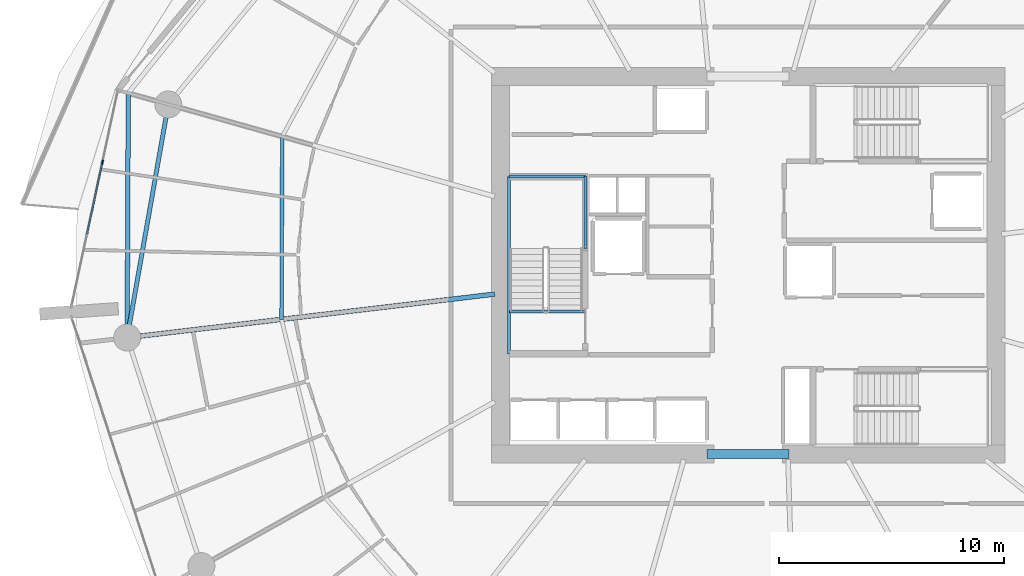
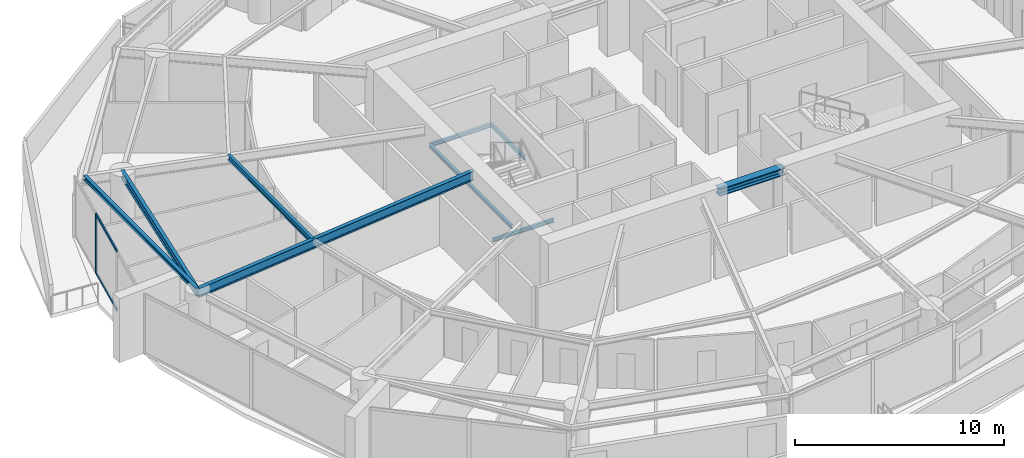
# One storey, part 6 of 23: 9 beams, 3 members, 1 element without a shape of its own.
"""IFC4 building model written with IfcOpenShell, lengths in metres."""

from ifc_helpers import new_model, si_unit, direction, frame, origin, origin_2d, place, context, subcontext, project, spatial, rectangle, i_section, extrude, material, layer, layer_set, material_profile, profile_set, type_object, element, aggregate, save


model = new_model("IFC4")

# Units and contexts
model_context = context("Model", 3, precision=1e-05, world=origin(), true_north=direction((0.0, 1.0)))
body_context = subcontext(model_context, "Body", "Model", "MODEL_VIEW")
ifc_project = project(units=[si_unit("LENGTHUNIT", "METRE"), si_unit("AREAUNIT", "SQUARE_METRE"), si_unit("VOLUMEUNIT", "CUBIC_METRE"), si_unit("PLANEANGLEUNIT", "RADIAN"), si_unit("MASSUNIT", "GRAM", prefix="KILO")], contexts=[model_context])

# Site, building, storey
site_placement = place(None, origin())
site = spatial("IfcSite", under=ifc_project, at=site_placement, CompositionType="ELEMENT")
building_placement = place(site_placement, origin())
building = spatial("IfcBuilding", under=site, at=building_placement, Name="Kazma Halo Residences", CompositionType="ELEMENT")
storey_placement = place(building_placement, frame((0.0, 0.0, 105.14990234375)))
storey = spatial("IfcBuildingStorey", under=building, at=storey_placement, Name="L26", CompositionType="ELEMENT", Elevation=105.14990234375)

# Beams
ifc_material_1 = material(Name="Steel S355", Category="steel")
ifc_material_profile_1 = material_profile(ifc_material_1, i_section(OverallWidth=0.201904296875, OverallDepth=0.2470703125, WebThickness=0.00732421875, FlangeThickness=0.010986328125, FilletRadius=0.011962890625, at=origin_2d()), Name="W250x49.1")
ifc_profile_set_1 = profile_set([ifc_material_profile_1], Name="Steel S355")
beam_type_1 = type_object("IfcBeamType", Name="BM-BAL-CANT", PredefinedType="BEAM", material=ifc_profile_set_1)
beam_1_placement = place(storey_placement, frame((20.8427734375, 49.6591796875, 3.376708984375), z_axis=(-0.004532963616, -0.999989726068, 0.0), x_axis=(0.999989726068, -0.004532963616, 0.0)))
element("IfcBeam", 1, at=beam_1_placement, inside=storey, type_object=beam_type_1, Name="L26 wave-balcony tie beam 07", PredefinedType="BEAM", context=body_context, shape_type="SweptSolid", body=[
    extrude(i_section(OverallWidth=0.201904296875, OverallDepth=0.2470703125, WebThickness=0.00732421875, FlangeThickness=0.010986328125, FilletRadius=0.011962890625, at=origin_2d()), origin(), (0.0, 0.0, 1.0), 10.87939453125),
])
ifc_material_profile_2 = material_profile(ifc_material_1, i_section(OverallWidth=0.408935546875, OverallDepth=0.425048828125, WebThickness=0.03271484375, FlangeThickness=0.052490234375, FilletRadius=0.02001953125, at=origin_2d()), Name="W360x421")
ifc_profile_set_2 = profile_set([ifc_material_profile_2], Name="Steel S355")
beam_type_2 = type_object("IfcBeamType", Name="BM-CORE-W360H", PredefinedType="BEAM", material=ifc_profile_set_2)
beam_2_placement = place(storey_placement, frame((46.60009765625, 33.60009765625, 3.28759765625), z_axis=(1.0, 0.0, 0.0), x_axis=(0.0, 1.0, 0.0)))
element("IfcBeam", 2, at=beam_2_placement, inside=storey, type_object=beam_type_2, Name="L26 core coupling beam S", PredefinedType="BEAM", context=body_context, shape_type="SweptSolid", body=[
    extrude(i_section(OverallWidth=0.408935546875, OverallDepth=0.425048828125, WebThickness=0.03271484375, FlangeThickness=0.052490234375, FilletRadius=0.02001953125, at=origin_2d()), origin(), (0.0, 0.0, 1.0), 3.64990234375),
])
ifc_material_profile_3 = material_profile(ifc_material_1, i_section(OverallWidth=0.208984375, OverallDepth=0.532958984375, WebThickness=0.01025390625, FlangeThickness=0.015625, FilletRadius=0.01611328125, at=origin_2d()), Name="W530x92")
ifc_profile_set_3 = profile_set([ifc_material_profile_3], Name="Steel S355")
beam_type_3 = type_object("IfcBeamType", Name="BM-RAD-W530", PredefinedType="BEAM", material=ifc_profile_set_3)
beam_3_placement = place(storey_placement, frame((37.14990234375, 40.7158203125, 3.233642578125), z_axis=(-0.99306759037, -0.117544718963, 0.0), x_axis=(0.117544718963, -0.99306759037, 0.0)))
element("IfcBeam", 3, at=beam_3_placement, inside=storey, type_object=beam_type_3, Name="L26 radial floor beam 08", PredefinedType="BEAM", context=body_context, shape_type="SweptSolid", body=[
    extrude(i_section(OverallWidth=0.208984375, OverallDepth=0.532958984375, WebThickness=0.01025390625, FlangeThickness=0.015625, FilletRadius=0.01611328125, at=origin_2d()), origin(), (0.0, 0.0, 1.0), 16.470703125),
])
ifc_material_profile_4 = material_profile(ifc_material_1, i_section(OverallWidth=0.1650390625, OverallDepth=0.31005859375, WebThickness=0.005859375, FlangeThickness=0.009765625, FilletRadius=0.011962890625, at=origin_2d()), Name="W310x38.7")
ifc_profile_set_4 = profile_set([ifc_material_profile_4], Name="Steel S355")
beam_type_4 = type_object("IfcBeamType", Name="BM-SEC-W310B", PredefinedType="JOIST", material=ifc_profile_set_4)
beam_4_placement = place(storey_placement, frame((27.69189453125, 47.7275390625, 3.34521484375), z_axis=(-0.003541500645, -0.999993728867, 0.0), x_axis=(0.999993728867, -0.003541500645, 0.0)))
element("IfcBeam", 4, at=beam_4_placement, inside=storey, type_object=beam_type_4, Name="L26 circumferential floor joist 07", PredefinedType="JOIST", context=body_context, shape_type="SweptSolid", body=[
    extrude(i_section(OverallWidth=0.1650390625, OverallDepth=0.31005859375, WebThickness=0.005859375, FlangeThickness=0.009765625, FilletRadius=0.011962890625, at=origin_2d()), origin(), (0.0, 0.0, 1.0), 8.134521484375),
])
ifc_material_profile_5 = material_profile(ifc_material_1, i_section(OverallWidth=0.18994140625, OverallDepth=0.45703125, WebThickness=0.009033203125, FlangeThickness=0.014404296875, FilletRadius=0.01611328125, at=origin_2d()), Name="W460x74")
ifc_profile_set_5 = profile_set([ifc_material_profile_5], Name="Steel S355")
beam_type_5 = type_object("IfcBeamType", Name="BM-SPN-W460", PredefinedType="BEAM", material=ifc_profile_set_5)
beam_5_placement = place(storey_placement, frame((22.623291015625, 49.156982421875, 3.271484375), z_axis=(-0.173653159051, -0.984806874647, 0.0), x_axis=(0.984806874647, -0.173653159051, 0.0)))
element("IfcBeam", 5, at=beam_5_placement, inside=storey, type_object=beam_type_5, Name="L26 perimeter ring beam 07", PredefinedType="BEAM", context=body_context, shape_type="SweptSolid", body=[
    extrude(i_section(OverallWidth=0.18994140625, OverallDepth=0.45703125, WebThickness=0.009033203125, FlangeThickness=0.014404296875, FilletRadius=0.01611328125, at=origin_2d()), origin(), (0.0, 0.0, 1.0), 10.537353515625),
])
ifc_material_profile_6 = material_profile(ifc_material_1, i_section(OverallWidth=0.133056640625, OverallDepth=0.20703125, WebThickness=0.005859375, FlangeThickness=0.00830078125, FilletRadius=0.010009765625, at=origin_2d()), Name="W200x26.6")
ifc_profile_set_6 = profile_set([ifc_material_profile_6], Name="Steel S355")
beam_type_6 = type_object("IfcBeamType", Name="BM-TRIM-W200", PredefinedType="BEAM", material=ifc_profile_set_6)
beam_6_placement = place(storey_placement, frame((37.800048828125, 39.949951171875, -0.35986328125), z_axis=(1.0, 0.0, 0.0), x_axis=(0.0, 1.0, 0.0)))
element("IfcBeam", 6, at=beam_6_placement, inside=storey, type_object=beam_type_6, Name="L26 ST-01 floor landing support beam", PredefinedType="BEAM", context=body_context, shape_type="SweptSolid", body=[
    extrude(i_section(OverallWidth=0.133056640625, OverallDepth=0.20703125, WebThickness=0.005859375, FlangeThickness=0.00830078125, FilletRadius=0.010009765625, at=origin_2d()), origin(), (0.0, 0.0, 1.0), 3.3798828125),
])
beam_7_placement = place(storey_placement, frame((37.780029296875, 38.06005859375, 1.570068359375), z_axis=(0.0, 1.0, 0.0), x_axis=(-1.0, 0.0, 0.0)))
element("IfcBeam", 7, at=beam_7_placement, inside=storey, type_object=beam_type_6, Name="L26 ST-01 landing west wall ledger", PredefinedType="BEAM", context=body_context, shape_type="SweptSolid", body=[
    extrude(i_section(OverallWidth=0.133056640625, OverallDepth=0.20703125, WebThickness=0.005859375, FlangeThickness=0.00830078125, FilletRadius=0.010009765625, at=origin_2d()), origin(), (0.0, 0.0, 1.0), 7.8798828125),
])
beam_8_placement = place(storey_placement, frame((41.179931640625, 42.75, 1.570068359375), z_axis=(0.0, 1.0, 0.0), x_axis=(-1.0, 0.0, 0.0)))
element("IfcBeam", 8, at=beam_8_placement, inside=storey, type_object=beam_type_6, Name="L26 ST-01 landing east wall ledger", PredefinedType="BEAM", context=body_context, shape_type="SweptSolid", body=[
    extrude(i_section(OverallWidth=0.133056640625, OverallDepth=0.20703125, WebThickness=0.005859375, FlangeThickness=0.00830078125, FilletRadius=0.010009765625, at=origin_2d()), origin(), (0.0, 0.0, 1.0), 3.18994140625),
])
beam_9_placement = place(storey_placement, frame((37.780029296875, 45.93994140625, 1.570068359375), z_axis=(1.0, 0.0, 0.0), x_axis=(0.0, 1.0, 0.0)))
element("IfcBeam", 9, at=beam_9_placement, inside=storey, type_object=beam_type_6, Name="L26 ST-01 landing end wall ledger", PredefinedType="BEAM", context=body_context, shape_type="SweptSolid", body=[
    extrude(i_section(OverallWidth=0.133056640625, OverallDepth=0.20703125, WebThickness=0.005859375, FlangeThickness=0.00830078125, FilletRadius=0.010009765625, at=origin_2d()), origin(), (0.0, 0.0, 1.0), 3.39990234375),
])

# Curtain wall, members
ifc_material_2 = material(Name="Aluminium AW-6063 T6 and Triple-Silver Low-E Glass", Category="aluminium")
ifc_layer = layer(ifc_material_2, 0.199951171875)
ifc_layer_set = layer_set([ifc_layer], Name="Aluminium AW-6063 T6 and Triple-Silver Low-E Glass")
curtain_wall_type = type_object("IfcCurtainWallType", Name="CW-SYS-3", PredefinedType="NOTDEFINED", material=ifc_layer_set)
curtain_wall_placement = place(storey_placement, origin())
curtain_wall = element("IfcCurtainWall", 10, at=curtain_wall_placement, inside=storey, type_object=curtain_wall_type, Name="L26 unitised curtain wall B07", PredefinedType="NOTDEFINED")
ifc_material_3 = material(Name="Aluminium AW-6063 T6", Category="aluminium")
ifc_material_profile_7 = material_profile(ifc_material_3, rectangle(XDim=0.070068359375, YDim=0.199951171875, at=origin_2d()), Name="CWM-70x200")
ifc_profile_set_7 = profile_set([ifc_material_profile_7], Name="Aluminium AW-6063 T6")
member_type_1 = type_object("IfcMemberType", Name="CW-SYS-3-MUL", PredefinedType="MULLION", material=ifc_profile_set_7)
member_1_placement = place(storey_placement, frame((19.69287109375, 46.5791015625, 0.0), z_axis=(0.0, 0.0, 1.0), x_axis=(0.977774176093, -0.209660822677, 0.0)))
member_1 = element("IfcMember", 11, at=member_1_placement, type_object=member_type_1, Name="CWS-3 mullion 2", PredefinedType="MULLION", context=body_context, shape_type="SweptSolid", body=[
    extrude(rectangle(XDim=0.070068359375, YDim=0.199951171875, at=origin_2d()), origin(), (0.0, 0.0, 1.0), 3.5),
])
ifc_material_profile_8 = material_profile(ifc_material_3, rectangle(XDim=0.070068359375, YDim=0.14990234375, at=origin_2d()), Name="CWT-70x150")
ifc_profile_set_8 = profile_set([ifc_material_profile_8], Name="Aluminium AW-6063 T6")
member_type_2 = type_object("IfcMemberType", Name="CW-SYS-3-TRN", PredefinedType="USERDEFINED", material=ifc_profile_set_8)
member_2_placement = place(storey_placement, frame((19.685546875, 46.544921875, 0.03515625), z_axis=(-0.209627675811, -0.977781283076, 0.0), x_axis=(0.977781283076, -0.209627675811, 0.0)))
member_2 = element("IfcMember", 12, at=member_2_placement, type_object=member_type_2, Name="CWS-3 transom 2.1", ObjectType="TRANSOM", PredefinedType="USERDEFINED", context=body_context, shape_type="SweptSolid", body=[
    extrude(rectangle(XDim=0.070068359375, YDim=0.14990234375, at=origin_2d()), origin(), (0.0, 0.0, 1.0), 3.213134765625),
])
member_3_placement = place(storey_placement, frame((19.685546875, 46.544921875, 3.465087890625), z_axis=(-0.209627675811, -0.977781283076, 0.0), x_axis=(0.977781283076, -0.209627675811, 0.0)))
member_3 = element("IfcMember", 13, at=member_3_placement, type_object=member_type_2, Name="CWS-3 transom 2.2", ObjectType="TRANSOM", PredefinedType="USERDEFINED", context=body_context, shape_type="SweptSolid", body=[
    extrude(rectangle(XDim=0.070068359375, YDim=0.14990234375, at=origin_2d()), origin(), (0.0, 0.0, 1.0), 3.213134765625),
])
aggregate(curtain_wall, [member_1, member_2, member_3])

save(model, "model.ifc")
